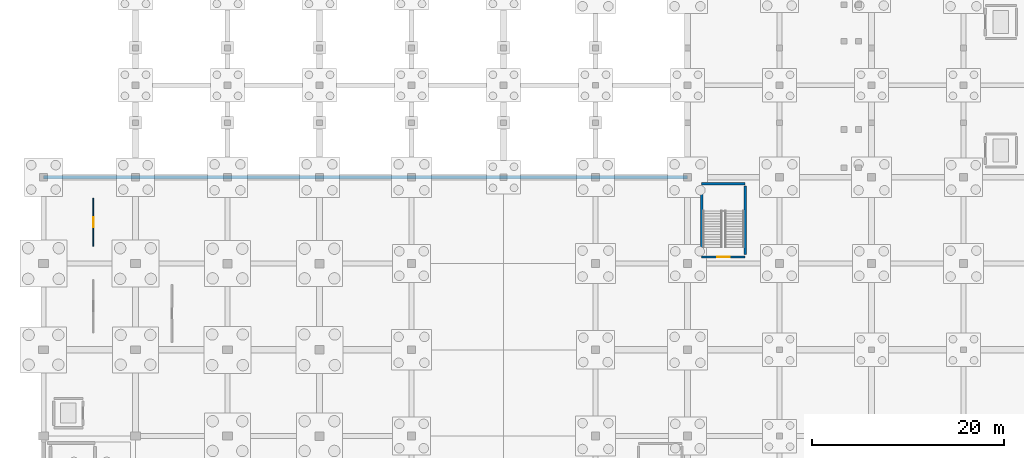
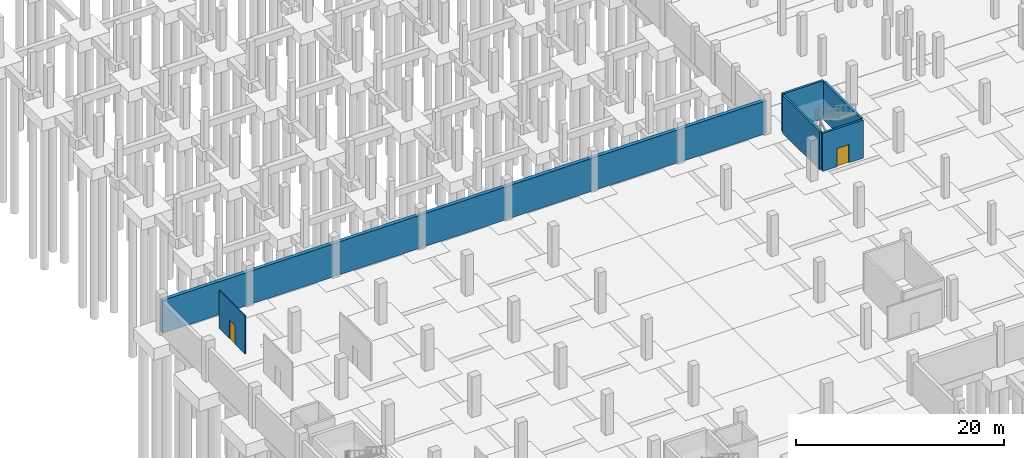
# One storey, part 29 of 39: 6 walls, 2 doors, 2 openings.
"""IFC4 building model written with IfcOpenShell, lengths in metres."""

from ifc_helpers import new_model, si_unit, direction, frame, frame_2d, origin, place, context, subcontext, project, spatial, rectangle, extrude, material, layer, layer_set, type_object, element, fill, save


model = new_model("IFC4")

# Units and contexts
model_context = context("Model", 3, precision=1e-05, world=origin(), true_north=direction((0.0, 1.0)))
body_context = subcontext(model_context, "Body", "Model", "MODEL_VIEW")
ifc_project = project(units=[si_unit("LENGTHUNIT", "METRE"), si_unit("AREAUNIT", "SQUARE_METRE"), si_unit("VOLUMEUNIT", "CUBIC_METRE"), si_unit("PLANEANGLEUNIT", "RADIAN"), si_unit("MASSUNIT", "GRAM", prefix="KILO")], contexts=[model_context])

# Site, building, storey
site_placement = place(None, origin())
site = spatial("IfcSite", under=ifc_project, at=site_placement, CompositionType="ELEMENT")
building_placement = place(site_placement, origin())
building = spatial("IfcBuilding", under=site, at=building_placement, Name="Zarnetskaya Central Station", CompositionType="ELEMENT")
storey_placement = place(building_placement, frame((0.0, 0.0, -4.800048828125)))
storey = spatial("IfcBuildingStorey", under=building, at=storey_placement, Name="B1", CompositionType="ELEMENT", Elevation=-4.800048828125)

# Wall, opening, door
ifc_material_1 = material(Name="Gypsum moisture partition")
ifc_layer_1 = layer(ifc_material_1, 0.114990234375, Name="Gypsum moisture partition")
ifc_layer_set_1 = layer_set([ifc_layer_1], Name="Gypsum moisture partition")
wall_type_1 = type_object("IfcWallType", Name="PART-WC-115", PredefinedType="PARTITIONING", material=ifc_layer_set_1)
wall_1_placement = place(storey_placement, frame((5.199951171875, 65.0, 0.0), z_axis=(0.0, 0.0, 1.0), x_axis=(0.0, -1.0, 0.0)))
wall_1 = element("IfcWall", 1, at=wall_1_placement, inside=storey, type_object=wall_type_1, Name="Interior partition IPRT-B1-0377", PredefinedType="PARTITIONING", context=body_context, shape_type="SweptSolid", body=[
    extrude(rectangle(XDim=5.0, YDim=0.114990234375, at=frame_2d((2.5, 0.0))), origin(), (0.0, 0.0, 1.0), 4.47998046875),
])
opening_1_placement = place(wall_1_placement, frame((1.969970703125, 0.0, 0.0)))
opening_1 = element("IfcOpeningElement", 2, at=opening_1_placement, cuts=wall_1, Name="Opening DR-03", PredefinedType="OPENING", context=body_context, shape_type="SweptSolid", body=[
    extrude(rectangle(XDim=1.06005859375, YDim=2.139892578125, at=frame_2d((0.530029296875, 1.06982421875))), frame((0.0, 0.0673828125, 0.0), z_axis=(0.0, -1.0, 0.0), x_axis=(1.0, 0.0, 0.0)), (0.0, 0.0, 1.0), 0.135009765625),
])
ifc_material_2 = material(Name="Anodised aluminium", Category="aluminium")
door_type_1 = type_object("IfcDoorType", Name="DR-INT-22", OperationType="NOTDEFINED", PredefinedType="DOOR", material=ifc_material_2)
door_1_placement = place(opening_1_placement, origin())
door_1 = element("IfcDoor", 3, at=door_1_placement, inside=storey, type_object=door_type_1, Name="Accessible WC B1 door", OperationType="SINGLE_SWING_LEFT", OverallHeight=2.139892578125, OverallWidth=1.06005859375, PredefinedType="DOOR", context=body_context, shape_type="SweptSolid", body=[
    extrude(rectangle(XDim=1.06005859375, YDim=2.139892578125, at=frame_2d((0.530029296875, 1.06982421875))), frame((0.0, 0.02490234375, 0.0), z_axis=(0.0, -1.0, 0.0), x_axis=(1.0, 0.0, 0.0)), (0.0, 0.0, 1.0), 0.050048828125),
])
fill(opening_1, door_1)

# Wall
ifc_material_3 = material(Name="Concrete C35/45", Category="concrete")
ifc_layer_2 = layer(ifc_material_3, 0.39990234375, Name="Concrete C35/45", Category="concrete")
ifc_layer_set_2 = layer_set([ifc_layer_2], Name="Concrete C35/45")
wall_type_2 = type_object("IfcWallType", Name="WALL-RET-400", PredefinedType="USERDEFINED", material=ifc_layer_set_2)
wall_2_placement = place(storey_placement, frame((0.0, 67.199951171875, 0.0), z_axis=(0.0, 0.0, 1.0), x_axis=(1.0, 0.0, 0.0)))
element("IfcWall", 4, at=wall_2_placement, inside=storey, type_object=wall_type_2, Name="Basement perimeter retaining wall 02", ObjectType="RETAININGWALL", PredefinedType="USERDEFINED", context=body_context, shape_type="SweptSolid", body=[
    extrude(rectangle(XDim=67.199951171875, YDim=0.39990234375, at=frame_2d((33.60009765625, 0.0))), origin(), (0.0, 0.0, 1.0), 3.880126953125),
])

# Wall, opening, door
ifc_layer_3 = layer(ifc_material_3, 0.239990234375, Name="Concrete C35/45", Category="concrete")
ifc_layer_set_3 = layer_set([ifc_layer_3], Name="Concrete C35/45")
wall_type_3 = type_object("IfcWallType", Name="WALL-SHFT-240", PredefinedType="SHEAR", material=ifc_layer_set_3)
wall_3_placement = place(storey_placement, frame((73.219970703125, 58.8798828125, 0.0), z_axis=(0.0, 0.0, 1.0), x_axis=(-1.0, 0.0, 0.0)))
wall_3 = element("IfcWall", 5, at=wall_3_placement, inside=storey, type_object=wall_type_3, Name="Core shear wall WSTR-B1-0301", PredefinedType="SHEAR", context=body_context, shape_type="SweptSolid", body=[
    extrude(rectangle(XDim=4.5400390625, YDim=0.239990234375, at=frame_2d((2.27001953125, 0.0))), origin(), (0.0, 0.0, 1.0), 4.47998046875),
])
opening_2_placement = place(wall_3_placement, frame((1.610107421875, 0.0, 0.0)))
opening_2 = element("IfcOpeningElement", 6, at=opening_2_placement, cuts=wall_3, Name="Opening DR-FD60", PredefinedType="OPENING", context=body_context, shape_type="SweptSolid", body=[
    extrude(rectangle(XDim=1.320068359375, YDim=2.14990234375, at=frame_2d((0.66015625, 1.074951171875))), frame((0.0, 0.1298828125, 0.0), z_axis=(0.0, -1.0, 0.0), x_axis=(1.0, 0.0, 0.0)), (0.0, 0.0, 1.0), 0.260009765625),
])
door_type_2 = type_object("IfcDoorType", Name="DR-FIRE-STAIR", OperationType="NOTDEFINED", PredefinedType="DOOR", material=ifc_material_2)
door_2_placement = place(opening_2_placement, origin())
door_2 = element("IfcDoor", 7, at=door_2_placement, inside=storey, type_object=door_type_2, Name="Protected exit stair door ST-U1 B1", OperationType="SINGLE_SWING_RIGHT", OverallHeight=2.14990234375, OverallWidth=1.320068359375, PredefinedType="DOOR", context=body_context, shape_type="SweptSolid", body=[
    extrude(rectangle(XDim=1.320068359375, YDim=2.14990234375, at=frame_2d((0.66015625, 1.074951171875))), frame((0.0, 0.02490234375, 0.0), z_axis=(0.0, -1.0, 0.0), x_axis=(1.0, 0.0, 0.0)), (0.0, 0.0, 1.0), 0.050048828125),
])
fill(opening_2, door_2)

# Walls
wall_4_placement = place(storey_placement, frame((68.679931640625, 66.52001953125, 0.0), z_axis=(0.0, 0.0, 1.0), x_axis=(1.0, 0.0, 0.0)))
element("IfcWall", 8, at=wall_4_placement, inside=storey, type_object=wall_type_3, Name="Core shear wall WSTR-B1-0302", PredefinedType="SHEAR", context=body_context, shape_type="SweptSolid", body=[
    extrude(rectangle(XDim=4.5400390625, YDim=0.239990234375, at=frame_2d((2.27001953125, 0.0))), origin(), (0.0, 0.0, 1.0), 4.47998046875),
])
for number, where, z_axis, x_axis, name in (
    (9, (68.679931640625, 59.1201171875, 0.0), (0.0, 0.0, 1.0), (0.0, 1.0, 0.0), "Core shear wall WSTR-B1-0303"),
    (10, (73.219970703125, 66.280029296875, 0.0), (0.0, 0.0, 1.0), (0.0, -1.0, 0.0), "Core shear wall WSTR-B1-0304"),
):
    element("IfcWall", number, at=place(storey_placement, frame(where, z_axis=z_axis, x_axis=x_axis)), inside=storey, type_object=wall_type_3, Name=name, PredefinedType="SHEAR", context=body_context, shape_type="SweptSolid", body=[
        extrude(rectangle(XDim=7.159912109375, YDim=0.239990234375, at=frame_2d((3.580078125, 0.0))), origin(), (0.0, 0.0, 1.0), 4.47998046875),
    ])

save(model, "model.ifc")
